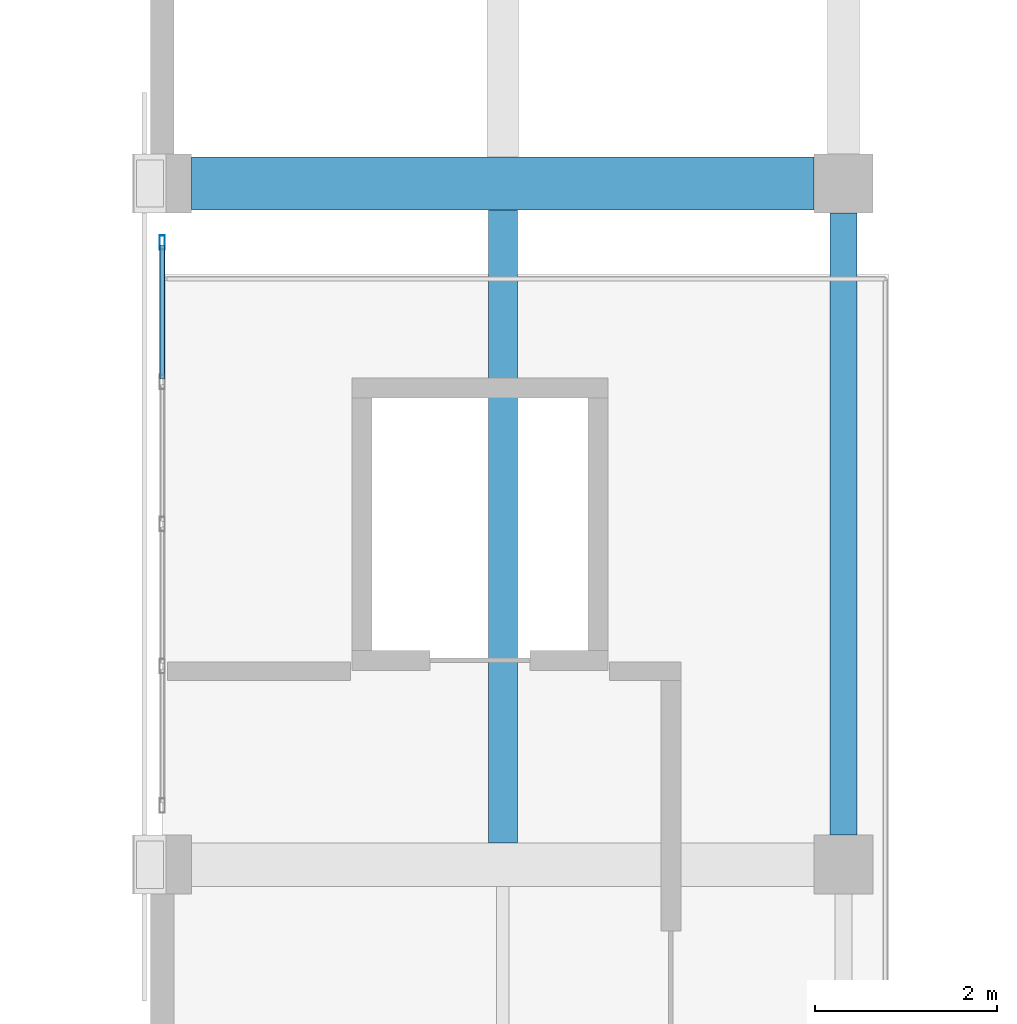
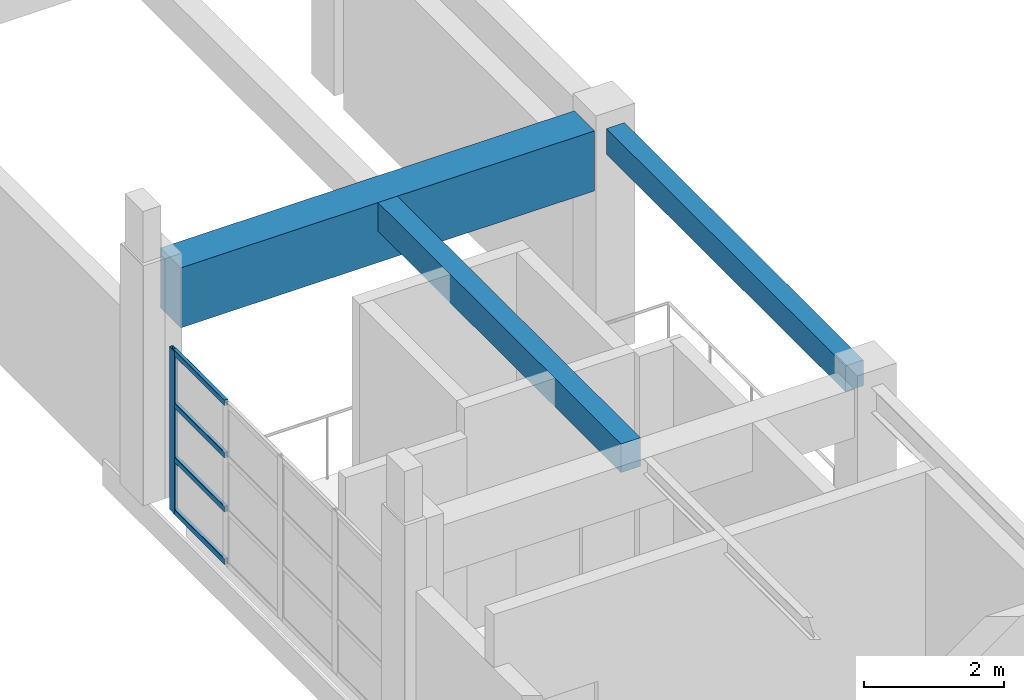
# One storey, part 8 of 51: 5 members, 3 beams, 1 element without a shape of its own.
"""IFC4 building model written with IfcOpenShell, lengths in metres."""

from ifc_helpers import new_model, si_unit, direction, frame, origin, origin_2d, place, context, subcontext, project, spatial, rectangle, hollow_rectangle, extrude, material, material_profile, profile_set, type_object, element, aggregate, save


model = new_model("IFC4")

# Units and contexts
model_context = context("Model", 3, precision=1e-05, world=origin(), true_north=direction((0.0, 1.0)))
body_context = subcontext(model_context, "Body", "Model", "MODEL_VIEW")
ifc_project = project(units=[si_unit("LENGTHUNIT", "METRE"), si_unit("AREAUNIT", "SQUARE_METRE"), si_unit("VOLUMEUNIT", "CUBIC_METRE"), si_unit("PLANEANGLEUNIT", "RADIAN"), si_unit("MASSUNIT", "GRAM", prefix="KILO")], contexts=[model_context])

# Site, building, storey
site_placement = place(None, origin())
site = spatial("IfcSite", under=ifc_project, at=site_placement, CompositionType="ELEMENT")
building_placement = place(site_placement, origin())
building = spatial("IfcBuilding", under=site, at=building_placement, Name="Qasida Concert Hall", CompositionType="ELEMENT")
storey_placement = place(building_placement, frame((0.0, 0.0, 21.0)))
storey = spatial("IfcBuildingStorey", under=building, at=storey_placement, Name="L05", CompositionType="ELEMENT", Elevation=21.0)

# Beams
ifc_material_1 = material(Name="Concrete C40/50", Category="concrete")
ifc_material_profile_1 = material_profile(ifc_material_1, rectangle(XDim=0.300048828125, YDim=0.449951171875, at=origin_2d()), Name="RC 300x450")
ifc_profile_set_1 = profile_set([ifc_material_profile_1], Name="Concrete C40/50")
beam_type_1 = type_object("IfcBeamType", Name="BM-B3", PredefinedType="BEAM", material=ifc_profile_set_1)
beam_1_placement = place(storey_placement, frame((60.0, 52.824951171875, 3.695068359375), z_axis=(0.0, 1.0, 0.0), x_axis=(-1.0, 0.0, 0.0)))
element("IfcBeam", 1, at=beam_1_placement, inside=storey, type_object=beam_type_1, Name="L05 girder 2011", PredefinedType="BEAM", context=body_context, shape_type="SweptSolid", body=[
    extrude(rectangle(XDim=0.300048828125, YDim=0.449951171875, at=origin_2d()), origin(), (0.0, 0.0, 1.0), 6.85009765625),
])
ifc_material_2 = material(Name="Concrete C50/60", Category="concrete")
ifc_material_profile_2 = material_profile(ifc_material_2, rectangle(XDim=0.580078125, YDim=1.050048828125, at=origin_2d()), Name="RC 580x1050")
ifc_profile_set_2 = profile_set([ifc_material_profile_2], Name="Concrete C50/60")
beam_type_2 = type_object("IfcBeamType", Name="BM-G8", PredefinedType="USERDEFINED", material=ifc_profile_set_2)
beam_2_placement = place(storey_placement, frame((52.824951171875, 60.0, 3.39501953125), z_axis=(1.0, 0.0, 0.0), x_axis=(0.0, 1.0, 0.0)))
element("IfcBeam", 2, at=beam_2_placement, inside=storey, type_object=beam_type_2, Name="Primary girder 1998", ObjectType="GIRDER", PredefinedType="USERDEFINED", context=body_context, shape_type="SweptSolid", body=[
    extrude(rectangle(XDim=0.580078125, YDim=1.050048828125, at=origin_2d()), origin(), (0.0, 0.0, 1.0), 6.85009765625),
])
ifc_material_profile_3 = material_profile(ifc_material_1, rectangle(XDim=0.320068359375, YDim=0.5, at=origin_2d()), Name="RC 320x500")
ifc_profile_set_3 = profile_set([ifc_material_profile_3], Name="Concrete C40/50")
beam_type_3 = type_object("IfcBeamType", Name="BM-J7", PredefinedType="JOIST", material=ifc_profile_set_3)
beam_3_placement = place(storey_placement, frame((56.25, 52.739990234375, 3.669921875), z_axis=(0.0, 1.0, 0.0), x_axis=(-1.0, 0.0, 0.0)))
element("IfcBeam", 3, at=beam_3_placement, inside=storey, type_object=beam_type_3, Name="L05 secondary joist 2030", PredefinedType="JOIST", context=body_context, shape_type="SweptSolid", body=[
    extrude(rectangle(XDim=0.320068359375, YDim=0.5, at=origin_2d()), origin(), (0.0, 0.0, 1.0), 6.969970703125),
])

# Curtain wall, members
ifc_material_3 = material(Name="Architectural bronze-anodized aluminium and low-E glass", Category="aluminium")
curtain_wall_type = type_object("IfcCurtainWallType", Name="CW-05", PredefinedType="NOTDEFINED", material=ifc_material_3)
curtain_wall_placement = place(storey_placement, origin())
curtain_wall = element("IfcCurtainWall", 4, at=curtain_wall_placement, inside=storey, type_object=curtain_wall_type, Name="L05 curtain wall CW-05 0066", PredefinedType="NOTDEFINED")
ifc_material_4 = material(Name="Architectural bronze-anodized aluminium EN AW-6063", Category="aluminium")
ifc_material_profile_4 = material_profile(ifc_material_4, hollow_rectangle(XDim=0.06005859375, YDim=0.159912109375, WallThickness=0.00390625, InnerFilletRadius=0.00390625, OuterFilletRadius=0.008056640625, at=origin_2d()), Name="CWM 160x60x4")
ifc_profile_set_4 = profile_set([ifc_material_profile_4], Name="Architectural bronze-anodized aluminium EN AW-6063")
member_type_1 = type_object("IfcMemberType", Name="MB-CWM-3", PredefinedType="MULLION", material=ifc_profile_set_4)
member_1_placement = place(storey_placement, frame((52.5, 59.35009765625, 0.0), z_axis=(0.0, 0.0, 1.0), x_axis=(-1.0, 0.0, 0.0)))
member_1 = element("IfcMember", 5, at=member_1_placement, type_object=member_type_1, Name="CW-05 mullion 5", PredefinedType="MULLION", context=body_context, shape_type="SweptSolid", body=[
    extrude(hollow_rectangle(XDim=0.06005859375, YDim=0.159912109375, WallThickness=0.00390625, InnerFilletRadius=0.00390625, OuterFilletRadius=0.008056640625, at=origin_2d()), origin(), (0.0, 0.0, 1.0), 2.840087890625),
])
ifc_material_profile_5 = material_profile(ifc_material_4, hollow_rectangle(XDim=0.06005859375, YDim=0.10009765625, WallThickness=0.00341796875, InnerFilletRadius=0.00341796875, OuterFilletRadius=0.007080078125, at=origin_2d()), Name="CWT 100x60x3.5")
ifc_profile_set_5 = profile_set([ifc_material_profile_5], Name="Architectural bronze-anodized aluminium EN AW-6063")
member_type_2 = type_object("IfcMemberType", Name="MB-CWT-3", PredefinedType="USERDEFINED", material=ifc_profile_set_5)
member_2_placement = place(storey_placement, frame((52.5, 57.844970703125, 0.030029296875), z_axis=(0.0, 1.0, 0.0), x_axis=(-1.0, 0.0, 0.0)))
member_2 = element("IfcMember", 6, at=member_2_placement, type_object=member_type_2, Name="CW-05 transom 4.1", ObjectType="TRANSOM", PredefinedType="USERDEFINED", context=body_context, shape_type="SweptSolid", body=[
    extrude(hollow_rectangle(XDim=0.06005859375, YDim=0.10009765625, WallThickness=0.00341796875, InnerFilletRadius=0.00341796875, OuterFilletRadius=0.007080078125, at=origin_2d()), origin(), (0.0, 0.0, 1.0), 1.47509765625),
])
member_3_placement = place(storey_placement, frame((52.5, 57.844970703125, 0.94677734375), z_axis=(0.0, 1.0, 0.0), x_axis=(-1.0, 0.0, 0.0)))
member_3 = element("IfcMember", 7, at=member_3_placement, type_object=member_type_2, Name="CW-05 transom 4.2", ObjectType="TRANSOM", PredefinedType="USERDEFINED", context=body_context, shape_type="SweptSolid", body=[
    extrude(hollow_rectangle(XDim=0.06005859375, YDim=0.10009765625, WallThickness=0.00341796875, InnerFilletRadius=0.00341796875, OuterFilletRadius=0.007080078125, at=origin_2d()), origin(), (0.0, 0.0, 1.0), 1.47509765625),
])
member_4_placement = place(storey_placement, frame((52.5, 57.844970703125, 1.893310546875), z_axis=(0.0, 1.0, 0.0), x_axis=(-1.0, 0.0, 0.0)))
member_4 = element("IfcMember", 8, at=member_4_placement, type_object=member_type_2, Name="CW-05 transom 4.3", ObjectType="TRANSOM", PredefinedType="USERDEFINED", context=body_context, shape_type="SweptSolid", body=[
    extrude(hollow_rectangle(XDim=0.06005859375, YDim=0.10009765625, WallThickness=0.00341796875, InnerFilletRadius=0.00341796875, OuterFilletRadius=0.007080078125, at=origin_2d()), origin(), (0.0, 0.0, 1.0), 1.47509765625),
])
member_5_placement = place(storey_placement, frame((52.5, 57.844970703125, 2.81005859375), z_axis=(0.0, 1.0, 0.0), x_axis=(-1.0, 0.0, 0.0)))
member_5 = element("IfcMember", 9, at=member_5_placement, type_object=member_type_2, Name="CW-05 transom 4.4", ObjectType="TRANSOM", PredefinedType="USERDEFINED", context=body_context, shape_type="SweptSolid", body=[
    extrude(hollow_rectangle(XDim=0.06005859375, YDim=0.10009765625, WallThickness=0.00341796875, InnerFilletRadius=0.00341796875, OuterFilletRadius=0.007080078125, at=origin_2d()), origin(), (0.0, 0.0, 1.0), 1.47509765625),
])
aggregate(curtain_wall, [member_1, member_2, member_3, member_4, member_5])

save(model, "model.ifc")
